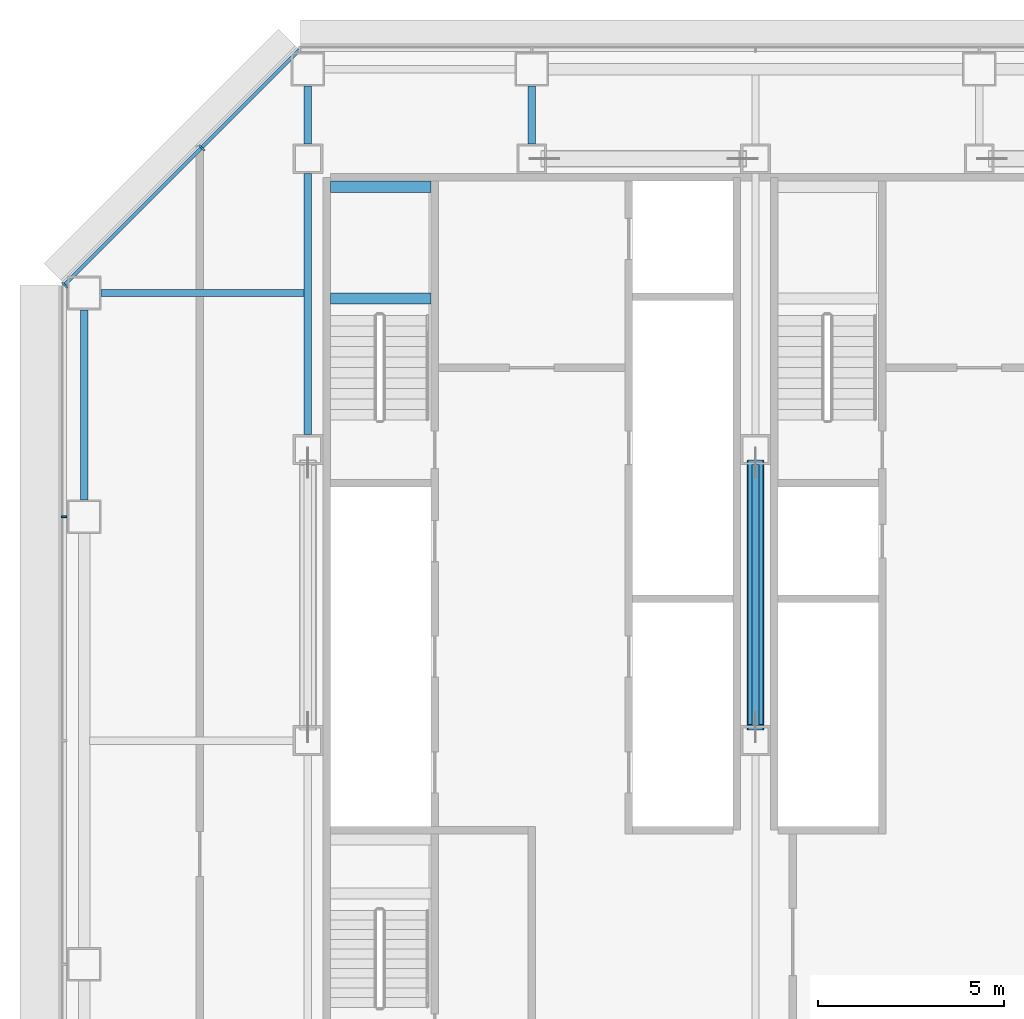
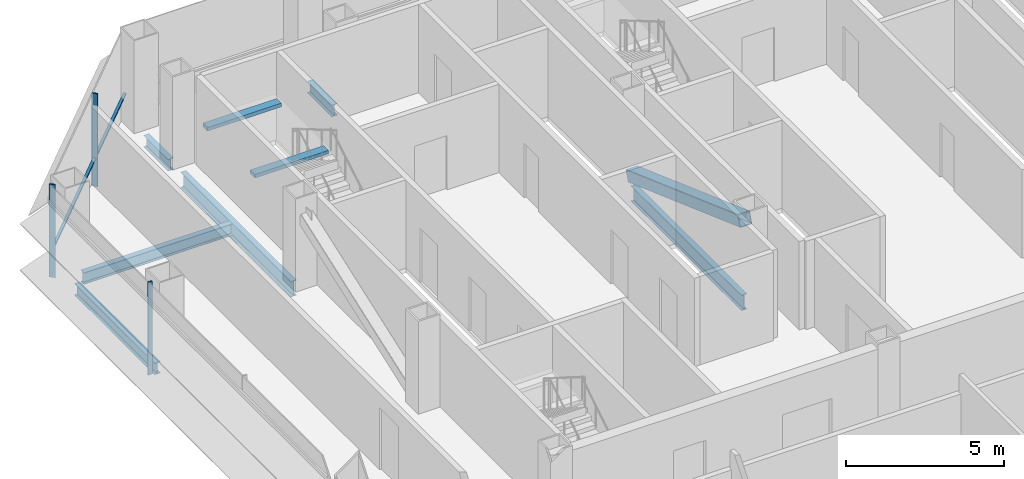
# One storey, part 11 of 26: 8 beams, 5 members, 2 elements without a shape of their own.
"""IFC4 building model written with IfcOpenShell, lengths in metres."""

import ifcopenshell
import ifcopenshell.guid

model = None  # the IFC model being written
_history = None  # IfcOwnerHistory: only IFC2X3 demands one
_inside = {}  # id of a spatial element -> (the spatial element, [elements in it])
_under = {}  # id of a project, library or spatial element -> (it, [spatial elements below it])
_declared = {}  # id of a project -> (the project, [libraries it declares])
_typed = {}  # id of a type object -> (the type object, [elements of that type])
_made_of = {}  # id of a material, layer set ... -> (it, [elements and type objects made of it])


def new_model(schema):
    """Start an empty IFC model of exactly this schema.

    Asked for "IFC4X3", IfcOpenShell would pick the latest addendum, in which some entities
    have other attributes; the version numbers below select the first issue.
    IFC2X3 requires an IfcOwnerHistory on every rooted entity: one is made here for all.
    """
    global model, _history
    if schema == "IFC4X3":
        model = ifcopenshell.file(schema_version=(4, 3, 0, 0))
    else:
        model = ifcopenshell.file(schema=schema)
    _inside.clear()
    _under.clear()
    _declared.clear()
    _typed.clear()
    _made_of.clear()
    _history = None
    if model.schema == "IFC2X3":
        org = make("IfcOrganization", Name="unknown")
        user = make(
            "IfcPersonAndOrganization",
            ThePerson=make("IfcPerson", FamilyName="unknown"),
            TheOrganization=org,
        )
        app = make(
            "IfcApplication",
            ApplicationDeveloper=org,
            Version="unknown",
            ApplicationFullName="unknown",
            ApplicationIdentifier="unknown",
        )
        _history = make(
            "IfcOwnerHistory",
            OwningUser=user,
            OwningApplication=app,
            ChangeAction="ADDED",
            CreationDate=0,
        )
    return model


def make(cls, **values):
    """One entity of the class cls with the attributes given. An attribute that is None is left unset."""
    return model.create_entity(
        cls, **{name: value for name, value in values.items() if value is not None}
    )


def rooted(cls, **values):
    """An entity with a GlobalId (a new one), such as an element, a storey or a relation."""
    return make(cls, GlobalId=ifcopenshell.guid.new(), OwnerHistory=_history, **values)


def si_unit(unit_type, name, prefix=None):
    """IfcSIUnit, for example si_unit("LENGTHUNIT", "METRE", prefix="MILLI")."""
    return make("IfcSIUnit", UnitType=unit_type, Prefix=prefix, Name=name)


def assignment(units):
    """IfcUnitAssignment: the units of a project."""
    return None if units is None else make("IfcUnitAssignment", Units=units)


def point(xyz):
    """IfcCartesianPoint."""
    return None if xyz is None else make("IfcCartesianPoint", Coordinates=xyz)


def direction(xyz):
    """IfcDirection."""
    return None if xyz is None else make("IfcDirection", DirectionRatios=xyz)


def frame(location, z_axis=None, x_axis=None):
    """IfcAxis2Placement3D, a coordinate frame: its origin and axes. An axis left out is left unset."""
    return make(
        "IfcAxis2Placement3D",
        Location=point(location),
        Axis=direction(z_axis),
        RefDirection=direction(x_axis),
    )


def frame_2d(location, x_axis=None):
    """IfcAxis2Placement2D, a coordinate frame in the plane: its origin and x axis."""
    return make(
        "IfcAxis2Placement2D", Location=point(location), RefDirection=direction(x_axis)
    )


def origin():
    """The frame at (0, 0, 0) with its axes left unset."""
    return frame((0.0, 0.0, 0.0))


def origin_2d():
    """The frame at (0, 0) in the plane with its x axis left unset."""
    return frame_2d((0.0, 0.0))


def place(relative_to, where):
    """IfcLocalPlacement: puts the frame where relative to a parent placement (None: the world)."""
    return make(
        "IfcLocalPlacement", PlacementRelTo=relative_to, RelativePlacement=where
    )


def context(
    kind, dimensions, precision=None, world=None, true_north=None, identifier=None
):
    """IfcGeometricRepresentationContext, for example the 3D "Model" context."""
    return make(
        "IfcGeometricRepresentationContext",
        ContextIdentifier=identifier,
        ContextType=kind,
        CoordinateSpaceDimension=dimensions,
        Precision=precision,
        WorldCoordinateSystem=world,
        TrueNorth=true_north,
    )


def subcontext(parent, identifier, kind, view, scale=None):
    """IfcGeometricRepresentationSubContext, for example "Body" below "Model"."""
    return make(
        "IfcGeometricRepresentationSubContext",
        ContextIdentifier=identifier,
        ContextType=kind,
        ParentContext=parent,
        TargetScale=scale,
        TargetView=view,
    )


def project(units=None, contexts=None):
    """IfcProject with its units and contexts."""
    return rooted(
        "IfcProject",
        Name="project",
        RepresentationContexts=contexts,
        UnitsInContext=assignment(units),
    )


def spatial(cls, under=None, at=None, **own):
    """A site, building, storey or space (cls), placed at a placement, below another one or the project."""
    s = rooted(cls, ObjectPlacement=at, **own)
    if under is not None:
        _under.setdefault(under.id(), (under, []))[1].append(s)
    return s


def profile(cls, at=None, kind="AREA", **sizes):
    """A parametric profile (cls). Its sizes go by their IFC names, for example OverallWidth=200.0."""
    return make(cls, ProfileType=kind, Position=at, **sizes)


def rectangle(**sizes):
    """IfcRectangleProfileDef."""
    return profile("IfcRectangleProfileDef", **sizes)


def hollow_rectangle(**sizes):
    """IfcRectangleHollowProfileDef."""
    return profile("IfcRectangleHollowProfileDef", **sizes)


def i_section(**sizes):
    """IfcIShapeProfileDef."""
    return profile("IfcIShapeProfileDef", **sizes)


def extrude(swept, where, along, depth):
    """IfcExtrudedAreaSolid: the profile swept, set in the frame where, extruded along a direction by depth."""
    return make(
        "IfcExtrudedAreaSolid",
        SweptArea=swept,
        Position=where,
        ExtrudedDirection=direction(along),
        Depth=depth,
    )


def shape(context_of_items, identifier, shape_type, items):
    """IfcShapeRepresentation: the items that make up one representation, for example the "Body"."""
    return make(
        "IfcShapeRepresentation",
        ContextOfItems=context_of_items,
        RepresentationIdentifier=identifier,
        RepresentationType=shape_type,
        Items=items,
    )


def material(Name=None, Category=None):
    """IfcMaterial."""
    return make("IfcMaterial", Name=Name, Category=Category)


def material_profile(
    of_material, cross_section, Name=None, Category=None, Priority=None
):
    """IfcMaterialProfile: a cross section and its material."""
    return make(
        "IfcMaterialProfile",
        Name=Name,
        Material=of_material,
        Profile=cross_section,
        Priority=Priority,
        Category=Category,
    )


def profile_set(profiles, Name=None, composite=None):
    """IfcMaterialProfileSet."""
    return make(
        "IfcMaterialProfileSet",
        Name=Name,
        MaterialProfiles=profiles,
        CompositeProfile=composite,
    )


def made_of(thing, what):
    """Note that an element or type object is made of a material, layer set ...; save() writes the relation."""
    if what is not None:
        _made_of.setdefault(what.id(), (what, []))[1].append(thing)
    return thing


def type_object(cls, material=None, **own):
    """A type object (cls), such as IfcWallType, which elements share."""
    return made_of(rooted(cls, **own), material)


def element(
    cls,
    number,
    at=None,
    inside=None,
    cuts=None,
    type_object=None,
    material=None,
    context=None,
    identifier="Body",
    shape_type=None,
    held_by="IfcProductDefinitionShape",
    body=None,
    shapes=None,
    **own,
):
    """One element of the class cls, such as IfcWall. Its Tag is "e" and its number.

    at: its placement. inside: the storey or other place that contains it. cuts: it is an
    opening in that element (IfcRelVoidsElement). A single representation is given by context,
    identifier, shape_type and body (its items); several are given by shapes. held_by: the class
    of the entity that holds the representations. save() writes the other relations.
    """
    e = rooted(cls, Tag="e%d" % number, ObjectPlacement=at, **own)
    if body is not None:
        shapes = [shape(context, identifier, shape_type, body)]
    if shapes is not None:
        e.Representation = make(held_by, Representations=shapes)
    if inside is not None:
        _inside.setdefault(inside.id(), (inside, []))[1].append(e)
    if cuts is not None:
        rooted(
            "IfcRelVoidsElement", RelatingBuildingElement=cuts, RelatedOpeningElement=e
        )
    if type_object is not None:
        _typed.setdefault(type_object.id(), (type_object, []))[1].append(e)
    return made_of(e, material)


def aggregate(whole, parts):
    """IfcRelAggregates: a whole, such as a stair, and the parts it consists of."""
    return rooted("IfcRelAggregates", RelatingObject=whole, RelatedObjects=parts)


def save(model, path):
    """Write the relations noted so far, then the file.

    IfcRelAggregates (storeys below a building ...), IfcRelContainedInSpatialStructure (elements
    in a storey), IfcRelDefinesByType, IfcRelAssociatesMaterial and IfcRelDeclares: one each for
    every whole, place, type object, material and project.
    """
    for whole, parts in _under.values():
        aggregate(whole, parts)
    for where, things in _inside.values():
        rooted(
            "IfcRelContainedInSpatialStructure",
            RelatedElements=things,
            RelatingStructure=where,
        )
    for kind, things in _typed.values():
        rooted("IfcRelDefinesByType", RelatedObjects=things, RelatingType=kind)
    for what, things in _made_of.values():
        rooted("IfcRelAssociatesMaterial", RelatedObjects=things, RelatingMaterial=what)
    for by, libraries in _declared.values():
        rooted("IfcRelDeclares", RelatingContext=by, RelatedDefinitions=libraries)
    model.write(path)


model = new_model("IFC4")

# Units and contexts
model_context = context("Model", 3, precision=1e-05, world=origin(), true_north=direction((0.0, 1.0)))
body_context = subcontext(model_context, "Body", "Model", "MODEL_VIEW")
ifc_project = project(units=[si_unit("LENGTHUNIT", "METRE"), si_unit("AREAUNIT", "SQUARE_METRE"), si_unit("VOLUMEUNIT", "CUBIC_METRE"), si_unit("PLANEANGLEUNIT", "RADIAN"), si_unit("MASSUNIT", "GRAM", prefix="KILO")], contexts=[model_context])

# Site, building, storey
site_placement = place(None, origin())
site = spatial("IfcSite", under=ifc_project, at=site_placement, CompositionType="ELEMENT")
building_placement = place(site_placement, origin())
building = spatial("IfcBuilding", under=site, at=building_placement, Name="Sorahane Residences", CompositionType="ELEMENT")
storey_placement = place(building_placement, frame((0.0, 0.0, 71.39990234375)))
storey = spatial("IfcBuildingStorey", under=building, at=storey_placement, Name="L14", CompositionType="ELEMENT", Elevation=71.39990234375)

# Member
ifc_material_1 = material(Name="Steel Q355B", Category="steel")
ifc_material_profile_1 = material_profile(ifc_material_1, hollow_rectangle(XDim=0.449951171875, YDim=0.449951171875, WallThickness=0.02197265625, InnerFilletRadius=0.010986328125, OuterFilletRadius=0.032958984375, at=origin_2d()), Name="RHS 450x450x22")
ifc_profile_set_1 = profile_set([ifc_material_profile_1], Name="Steel Q355B")
member_type_1 = type_object("IfcMemberType", Name="Core brace RHS 450x450x22 Q355B", PredefinedType="BRACE", material=ifc_profile_set_1)
member_1_placement = place(storey_placement, frame((18.0, 37.44580078125, 0.208740234375), z_axis=(0.0, -0.940896908935, 0.338693086371), x_axis=(1.0, 0.0, 0.0)))
element("IfcMember", 1, at=member_1_placement, inside=storey, type_object=member_type_1, Name="Core brace L14 x18-1", PredefinedType="BRACE", context=body_context, shape_type="SweptSolid", body=[
    extrude(hollow_rectangle(XDim=0.449951171875, YDim=0.449951171875, WallThickness=0.02197265625, InnerFilletRadius=0.010986328125, OuterFilletRadius=0.032958984375, at=origin_2d()), origin(), (0.0, 0.0, 1.0), 7.537109375),
])

# Curtain wall, member
ifc_material_2 = material(Name="Dark low-e glass and black anodised aluminium", Category="aluminium")
curtain_wall_type_1 = type_object("IfcCurtainWallType", Name="Curtain wall CW-1 Typical unitised wall", PredefinedType="NOTDEFINED", material=ifc_material_2)
curtain_wall_1_placement = place(storey_placement, origin())
curtain_wall_1 = element("IfcCurtainWall", 2, at=curtain_wall_1_placement, inside=storey, type_object=curtain_wall_type_1, Name="CW-1 curtain wall L14 W1", PredefinedType="NOTDEFINED")
ifc_material_3 = material(Name="Black anodised aluminium", Category="aluminium")
ifc_material_profile_2 = material_profile(ifc_material_3, rectangle(XDim=0.159912109375, YDim=0.050048828125, at=origin_2d()), Name="Curtain wall mullion CW-1 black anodised aluminium 50x160")
ifc_profile_set_2 = profile_set([ifc_material_profile_2], Name="Black anodised aluminium")
member_type_2 = type_object("IfcMemberType", Name="Curtain wall mullion CW-1 black anodised aluminium 50x160", PredefinedType="MULLION", material=ifc_profile_set_2)
member_2_placement = place(storey_placement, frame((-0.5400390625, 36.0, -0.179931640625), z_axis=(0.0, 0.0, 1.0), x_axis=(-1.0, 0.0, 0.0)))
member_2 = element("IfcMember", 3, at=member_2_placement, type_object=member_type_2, Name="CW-1 mullion L14 W1.2", PredefinedType="MULLION", context=body_context, shape_type="SweptSolid", body=[
    extrude(rectangle(XDim=0.159912109375, YDim=0.050048828125, at=origin_2d()), origin(), (0.0, 0.0, 1.0), 3.60009765625),
])
aggregate(curtain_wall_1, [member_2])

# Curtain wall, members
ifc_material_4 = material(Name="Dark low-e glass and black anodised aluminium", Category="aluminium")
curtain_wall_type_2 = type_object("IfcCurtainWallType", Name="Curtain wall CW-2 Chamfer unitised wall", PredefinedType="NOTDEFINED", material=ifc_material_4)
curtain_wall_2_placement = place(storey_placement, origin())
curtain_wall_2 = element("IfcCurtainWall", 4, at=curtain_wall_2_placement, inside=storey, type_object=curtain_wall_type_2, Name="CW-2 curtain wall L14 NW1", PredefinedType="NOTDEFINED")
ifc_material_5 = material(Name="Black anodised aluminium", Category="aluminium")
ifc_material_profile_3 = material_profile(ifc_material_5, rectangle(XDim=0.199951171875, YDim=0.050048828125, at=origin_2d()), Name="Curtain wall mullion CW-2 black anodised aluminium 50x200")
ifc_profile_set_3 = profile_set([ifc_material_profile_3], Name="Black anodised aluminium")
member_type_3 = type_object("IfcMemberType", Name="Curtain wall mullion CW-2 black anodised aluminium 50x200", PredefinedType="MULLION", material=ifc_profile_set_3)
member_3_placement = place(storey_placement, frame((3.15673828125, 45.89208984375, -0.179931640625), z_axis=(0.0, 0.0, 1.0), x_axis=(-0.707106781187, 0.707106781187, 0.0)))
member_3 = element("IfcMember", 5, at=member_3_placement, type_object=member_type_3, Name="CW-2 mullion L14 NW1.2", PredefinedType="MULLION", context=body_context, shape_type="SweptSolid", body=[
    extrude(rectangle(XDim=0.199951171875, YDim=0.050048828125, at=origin_2d()), origin(), (0.0, 0.0, 1.0), 3.60009765625),
])
member_4_placement = place(storey_placement, frame((-0.525634765625, 42.209716796875, -0.179931640625), z_axis=(0.0, 0.0, 1.0), x_axis=(-0.707106781187, 0.707106781187, 0.0)))
member_4 = element("IfcMember", 6, at=member_4_placement, type_object=member_type_3, Name="CW-2 mullion L14 NW1.3", PredefinedType="MULLION", context=body_context, shape_type="SweptSolid", body=[
    extrude(rectangle(XDim=0.199951171875, YDim=0.050048828125, at=origin_2d()), origin(), (0.0, 0.0, 1.0), 3.60009765625),
])
ifc_material_6 = material(Name="Black anodised aluminium", Category="aluminium")
ifc_material_profile_4 = material_profile(ifc_material_6, rectangle(XDim=0.10009765625, YDim=0.06005859375, at=origin_2d()), Name="Curtain wall transom CW-2 black anodised aluminium 60x100")
ifc_profile_set_4 = profile_set([ifc_material_profile_4], Name="Black anodised aluminium")
member_type_4 = type_object("IfcMemberType", Name="Curtain wall transom CW-2 black anodised aluminium 60x100", PredefinedType="USERDEFINED", material=ifc_profile_set_4)
member_5_placement = place(storey_placement, frame((5.765625, 48.51513671875, 0.900146484375), z_axis=(-0.707106781187, -0.707106781187, 0.0), x_axis=(0.707106781187, -0.707106781187, 0.0)))
member_5 = element("IfcMember", 7, at=member_5_placement, type_object=member_type_4, Name="CW-2 transom L14 NW1", ObjectType="TRANSOM", PredefinedType="USERDEFINED", context=body_context, shape_type="SweptSolid", body=[
    extrude(rectangle(XDim=0.10009765625, YDim=0.06005859375, at=origin_2d()), origin(), (0.0, 0.0, 1.0), 8.88232421875),
])
aggregate(curtain_wall_2, [member_3, member_4, member_5])

# Beams
ifc_material_7 = material(Name="Concrete C40", Category="concrete")
ifc_material_profile_5 = material_profile(ifc_material_7, rectangle(XDim=0.300048828125, YDim=0.139892578125, at=origin_2d()), Name="300x140")
ifc_profile_set_5 = profile_set([ifc_material_profile_5], Name="Concrete C40")
beam_type_1 = type_object("IfcBeamType", Name="RC landing beam 300 x 140 Concrete C40", PredefinedType="BEAM", material=ifc_profile_set_5)
for number, where, z_axis, x_axis, name in (
    (8, (6.60009765625, 41.85009765625, 1.530029296875), (1.0, 0.0, 0.0), (0.0, 1.0, 0.0), "Landing beam"),
    (9, (6.60009765625, 44.85009765625, 1.530029296875), (1.0, 0.0, 0.0), (0.0, 1.0, 0.0), "Landing beam"),
):
    element("IfcBeam", number, at=place(storey_placement, frame(where, z_axis=z_axis, x_axis=x_axis)), inside=storey, type_object=beam_type_1, Name=name, PredefinedType="BEAM", context=body_context, shape_type="SweptSolid", body=[
        extrude(rectangle(XDim=0.300048828125, YDim=0.139892578125, at=origin_2d()), origin(), (0.0, 0.0, 1.0), 2.699951171875),
    ])
ifc_material_8 = material(Name="Steel Q355B", Category="steel")
ifc_material_profile_6 = material_profile(ifc_material_8, i_section(OverallWidth=0.199951171875, OverallDepth=0.449951171875, WebThickness=0.009033203125, FlangeThickness=0.013916015625, FilletRadius=0.02001953125, at=origin_2d()), Name="HN 450x200x9x14")
ifc_profile_set_6 = profile_set([ifc_material_profile_6], Name="Steel Q355B")
beam_type_2 = type_object("IfcBeamType", Name="Steel floor beam HN 450x200x9x14 Q355B", PredefinedType="BEAM", material=ifc_profile_set_6)
beam_1_placement = place(storey_placement, frame((0.0, 36.449951171875, -0.40478515625), z_axis=(0.0, 1.0, 0.0), x_axis=(-1.0, 0.0, 0.0)))
element("IfcBeam", 10, at=beam_1_placement, inside=storey, type_object=beam_type_2, Name="Beam L14 020", PredefinedType="BEAM", context=body_context, shape_type="SweptSolid", body=[
    extrude(i_section(OverallWidth=0.199951171875, OverallDepth=0.449951171875, WebThickness=0.009033203125, FlangeThickness=0.013916015625, FilletRadius=0.02001953125, at=origin_2d()), origin(), (0.0, 0.0, 1.0), 5.10009765625),
])
for number, where, z_axis, x_axis, name in (
    (11, (6.0, 46.0, -0.40478515625), (0.0, 1.0, 0.0), (-1.0, 0.0, 0.0), "Beam L14 026"),
    (12, (12.0, 46.0, -0.40478515625), (0.0, 1.0, 0.0), (-1.0, 0.0, 0.0), "Beam L14 028"),
):
    element("IfcBeam", number, at=place(storey_placement, frame(where, z_axis=z_axis, x_axis=x_axis)), inside=storey, type_object=beam_type_2, Name=name, PredefinedType="BEAM", context=body_context, shape_type="SweptSolid", body=[
        extrude(i_section(OverallWidth=0.199951171875, OverallDepth=0.449951171875, WebThickness=0.009033203125, FlangeThickness=0.013916015625, FilletRadius=0.02001953125, at=origin_2d()), origin(), (0.0, 0.0, 1.0), 1.550048828125),
    ])
beam_2_placement = place(storey_placement, frame((0.449951171875, 42.0, -0.40478515625), z_axis=(1.0, 0.0, 0.0), x_axis=(0.0, 1.0, 0.0)))
element("IfcBeam", 13, at=beam_2_placement, inside=storey, type_object=beam_type_2, Name="Beam L14 079", PredefinedType="BEAM", context=body_context, shape_type="SweptSolid", body=[
    extrude(i_section(OverallWidth=0.199951171875, OverallDepth=0.449951171875, WebThickness=0.009033203125, FlangeThickness=0.013916015625, FilletRadius=0.02001953125, at=origin_2d()), origin(), (0.0, 0.0, 1.0), 5.449951171875),
])
ifc_material_9 = material(Name="Steel Q355B", Category="steel")
ifc_material_profile_7 = material_profile(ifc_material_9, i_section(OverallWidth=0.199951171875, OverallDepth=0.60009765625, WebThickness=0.010986328125, FlangeThickness=0.01708984375, FilletRadius=0.02392578125, at=origin_2d()), Name="HN 600x200x11x17")
ifc_profile_set_7 = profile_set([ifc_material_profile_7], Name="Steel Q355B")
beam_type_3 = type_object("IfcBeamType", Name="Steel floor beam HN 600x200x11x17 Q355B", PredefinedType="BEAM", material=ifc_profile_set_7)
for number, where, z_axis, x_axis, name in (
    (14, (6.0, 38.199951171875, -0.47998046875), (0.0, 1.0, 0.0), (-1.0, 0.0, 0.0), "Beam L14 025"),
    (15, (18.0, 30.39990234375, -0.47998046875), (0.0, 1.0, 0.0), (-1.0, 0.0, 0.0), "Beam L14 032"),
):
    element("IfcBeam", number, at=place(storey_placement, frame(where, z_axis=z_axis, x_axis=x_axis)), inside=storey, type_object=beam_type_3, Name=name, PredefinedType="BEAM", context=body_context, shape_type="SweptSolid", body=[
        extrude(i_section(OverallWidth=0.199951171875, OverallDepth=0.60009765625, WebThickness=0.010986328125, FlangeThickness=0.01708984375, FilletRadius=0.02392578125, at=origin_2d()), origin(), (0.0, 0.0, 1.0), 7.0),
    ])

save(model, "model.ifc")
